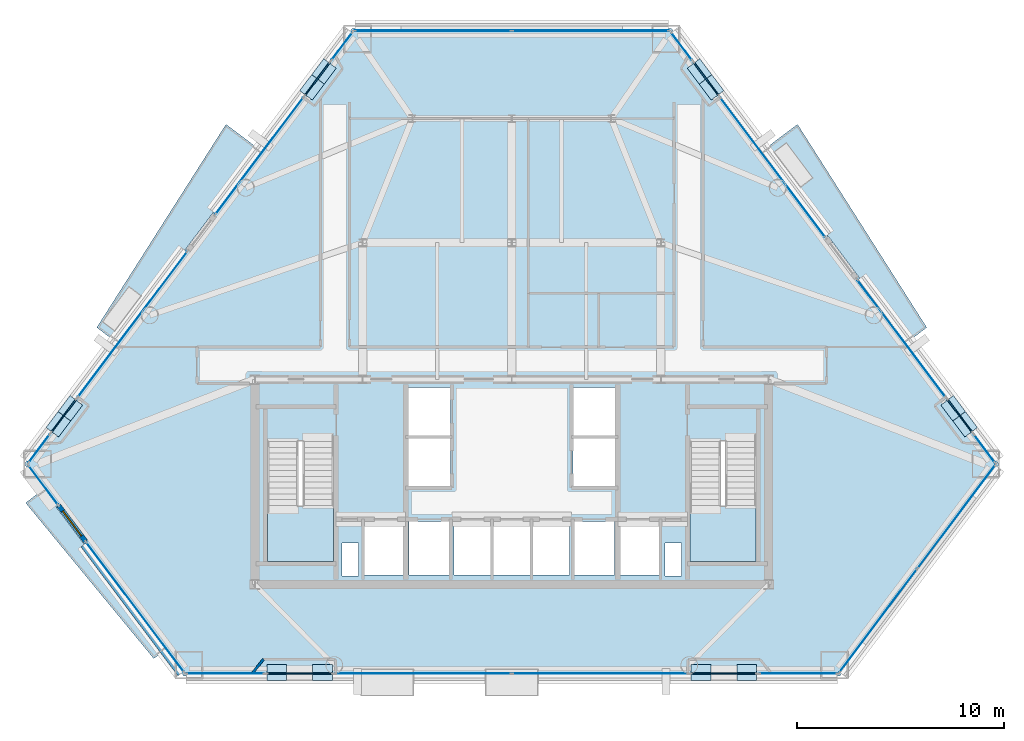
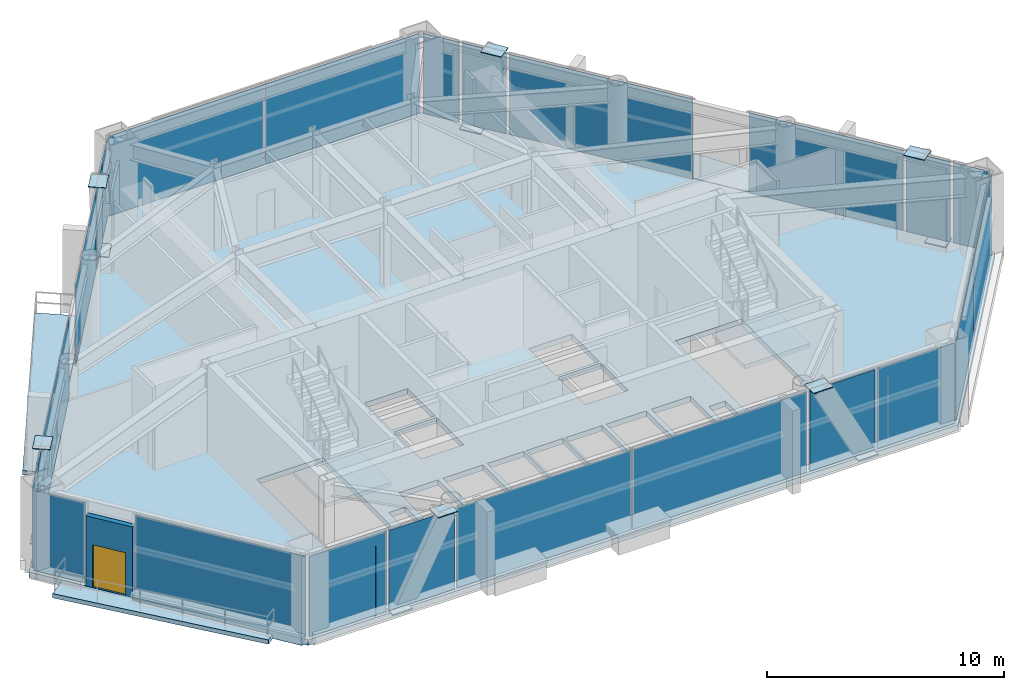
# One storey, part 5 of 10: 36 plates, 6 slabs, 3 walls, 1 door, 1 opening, 23 elements without a shape of their own.
"""IFC4 building model written with IfcOpenShell, lengths in metres."""

from ifc_helpers import new_model, si_unit, direction, frame, frame_2d, origin, origin_2d, place, context, subcontext, project, spatial, polyline, rectangle, outline, extrude, source, transform, mapped, material, layer, layer_set, type_object, type_shapes, element, fill, aggregate, save


model = new_model("IFC4")

# Units and contexts
model_context = context("Model", 3, precision=1e-05, world=origin(), true_north=direction((0.0, 1.0)))
body_context = subcontext(model_context, "Body", "Model", "MODEL_VIEW")
ifc_project = project(units=[si_unit("LENGTHUNIT", "METRE"), si_unit("AREAUNIT", "SQUARE_METRE"), si_unit("VOLUMEUNIT", "CUBIC_METRE"), si_unit("PLANEANGLEUNIT", "RADIAN"), si_unit("MASSUNIT", "GRAM", prefix="KILO")], contexts=[model_context])

# Site, building, storey
site_placement = place(None, origin())
site = spatial("IfcSite", under=ifc_project, at=site_placement, CompositionType="ELEMENT")
building_placement = place(site_placement, origin())
building = spatial("IfcBuilding", under=site, at=building_placement, Name="Talgorran Terracotta Tower", CompositionType="ELEMENT")
storey_placement = place(building_placement, frame((0.0, 0.0, 60.300048828125)))
storey = spatial("IfcBuildingStorey", under=building, at=storey_placement, Name="L15", CompositionType="ELEMENT", Elevation=60.300048828125)

# Plates
ifc_material_1 = material(Name="Steel Grade 350 (350L0)", Category="steel")
ifc_layer_1 = layer(ifc_material_1, 0.0400390625, Name="PL_CAP_MN05")
ifc_layer_set_1 = layer_set([ifc_layer_1], Name="Steel Grade 350 (350L0)")
plate_type_1 = type_object("IfcPlateType", Name="PL_CAP_MN05", PredefinedType="USERDEFINED", material=ifc_layer_set_1)
for number, where, z_axis, x_axis, name in (
    (1, (-11.3466796875, -18.35107421875, -0.010009765625), (0.0, 0.0, 1.0), (1.0, 0.0, 0.0), "L15 Diagonal Frame End Cap SWF Bot"),
    (2, (-9.140380859375, -18.35107421875, 4.219970703125), (0.0, 0.0, 1.0), (1.0, 0.0, 0.0), "L15 Diagonal Frame End Cap SWF Top"),
    (3, (11.3466796875, -18.35107421875, -0.010009765625), (0.0, 0.0, 1.0), (-1.0, 0.0, 0.0), "L15 Diagonal Frame End Cap SEF Bot"),
    (4, (9.140380859375, -18.35107421875, 4.219970703125), (0.0, 0.0, 1.0), (-1.0, 0.0, 0.0), "L15 Diagonal Frame End Cap SEF Top"),
    (5, (21.889892578125, -6.365478515625, -0.010009765625), (0.0, 0.0, 1.0), (-0.60153621011, 0.79884553446, 0.0), "L15 Diagonal Frame End Cap NEL Bot"),
    (6, (21.30810546875, -5.593017578125, 4.219970703125), (0.0, 0.0, 1.0), (-0.60153621011, 0.79884553446, 0.0), "L15 Diagonal Frame End Cap NEL Top"),
    (7, (9.0634765625, 10.67236328125, -0.010009765625), (0.0, 0.0, 1.0), (0.60153621011, -0.79884553446, 0.0), "L15 Diagonal Frame End Cap NEU Bot"),
    (8, (9.64501953125, 9.89990234375, 4.219970703125), (0.0, 0.0, 1.0), (0.60153621011, -0.79884553446, 0.0), "L15 Diagonal Frame End Cap NEU Top"),
    (9, (-9.0634765625, 10.67236328125, -0.010009765625), (0.0, 0.0, 1.0), (-0.60153621011, -0.79884553446, 0.0), "L15 Diagonal Frame End Cap NWU Bot"),
    (10, (-9.64501953125, 9.89990234375, 4.219970703125), (0.0, 0.0, 1.0), (-0.60153621011, -0.79884553446, 0.0), "L15 Diagonal Frame End Cap NWU Top"),
    (11, (-21.889892578125, -6.365478515625, -0.010009765625), (0.0, 0.0, 1.0), (0.60153621011, 0.79884553446, 0.0), "L15 Diagonal Frame End Cap NWL Bot"),
    (12, (-21.30810546875, -5.593017578125, 4.219970703125), (0.0, 0.0, 1.0), (0.60153621011, 0.79884553446, 0.0), "L15 Diagonal Frame End Cap NWL Top"),
):
    element("IfcPlate", number, at=place(storey_placement, frame(where, z_axis=z_axis, x_axis=x_axis)), inside=storey, type_object=plate_type_1, Name=name, ObjectType="CAP PLATE", PredefinedType="USERDEFINED", context=body_context, shape_type="SweptSolid", body=[
        extrude(rectangle(XDim=0.9599609375, YDim=0.760009765625, at=origin_2d()), origin(), (0.0, 0.0, 1.0), 0.0400390625),
    ])

# Slabs
ifc_material_2 = material(Name="Concrete C40/50", Category="concrete")
ifc_layer_2 = layer(ifc_material_2, 0.219970703125, Name="SL_BALCONY_220")
ifc_layer_set_2 = layer_set([ifc_layer_2], Name="Concrete C40/50")
slab_type_1 = type_object("IfcSlabType", Name="SL_BALCONY_220", PredefinedType="FLOOR", material=ifc_layer_set_2)
slab_1_placement = place(storey_placement, frame((0.0, 0.0, -0.219970703125)))
element("IfcSlab", 13, at=slab_1_placement, inside=storey, type_object=slab_type_1, Name="L15 Outdoor Wave Balcony BAL-NE", PredefinedType="FLOOR", context=body_context, shape_type="SweptSolid", body=[
    extrude(outline(polyline([(12.14404296875, 6.87109375), (19.11328125, -2.386474609375), (20.03369140625, -1.693359375), (13.7958984375, 8.11474609375), (12.14404296875, 6.87109375)])), origin(), (0.0, 0.0, 1.0), 0.219970703125),
])
slab_2_placement = place(storey_placement, frame((0.0, 0.0, -0.219970703125)))
element("IfcSlab", 14, at=slab_2_placement, inside=storey, type_object=slab_type_1, Name="L15 Outdoor Wave Balcony BAL-NW", PredefinedType="FLOOR", context=body_context, shape_type="SweptSolid", body=[
    extrude(outline(polyline([(-19.11328125, -2.386474609375), (-12.14404296875, 6.87109375), (-13.7958984375, 8.11474609375), (-20.03369140625, -1.693359375), (-19.11328125, -2.386474609375)])), origin(), (0.0, 0.0, 1.0), 0.219970703125),
])
slab_3_placement = place(storey_placement, frame((0.0, 0.0, -0.219970703125)))
element("IfcSlab", 15, at=slab_3_placement, inside=storey, type_object=slab_type_1, Name="L15 Outdoor Wave Balcony BAL-SW", PredefinedType="FLOOR", context=body_context, shape_type="SweptSolid", body=[
    extrude(outline(polyline([(-16.774658203125, -17.293212890625), (-22.62451171875, -9.522705078125), (-23.469970703125, -10.158935546875), (-17.282470703125, -17.67529296875), (-16.774658203125, -17.293212890625)])), origin(), (0.0, 0.0, 1.0), 0.219970703125),
])
ifc_layer_3 = layer(ifc_material_2, 0.280029296875, Name="SL_HALL_280")
ifc_layer_set_3 = layer_set([ifc_layer_3], Name="Concrete C40/50")
slab_type_2 = type_object("IfcSlabType", Name="SL_HALL_280", PredefinedType="FLOOR", material=ifc_layer_set_3)
slab_4_placement = place(storey_placement, frame((0.0, 0.0, -0.280029296875)))
element("IfcSlab", 16, at=slab_4_placement, inside=storey, type_object=slab_type_2, Name="Storey L15 Structural Floor Slab", PredefinedType="FLOOR", context=body_context, shape_type="SweptSolid", body=[
    extrude(outline(polyline([(-23.5361328125, -8.28662109375), (-15.839111328125, -18.510986328125), (15.839111328125, -18.510986328125), (23.5361328125, -8.28662109375), (7.697021484375, 12.75341796875), (-7.697021484375, 12.75341796875), (-23.5361328125, -8.28662109375)]), holes=[polyline([(-11.800048828125, -7.199951171875), (-11.800048828125, -13.0), (-8.60009765625, -13.0), (-8.60009765625, -7.199951171875), (-11.800048828125, -7.199951171875)]), polyline([(8.60009765625, -7.199951171875), (8.60009765625, -13.0), (11.800048828125, -13.0), (11.800048828125, -7.199951171875), (8.60009765625, -7.199951171875)]), polyline([(-7.10009765625, -13.64990234375), (-5.199951171875, -13.64990234375), (-5.199951171875, -11.050048828125), (-7.10009765625, -11.050048828125), (-7.10009765625, -13.64990234375)]), polyline([(5.199951171875, -13.64990234375), (7.10009765625, -13.64990234375), (7.10009765625, -11.050048828125), (5.199951171875, -11.050048828125), (5.199951171875, -13.64990234375)]), polyline([(3.0, -13.64990234375), (4.949951171875, -13.64990234375), (4.949951171875, -11.050048828125), (3.0, -11.050048828125), (3.0, -13.64990234375)]), polyline([(-4.949951171875, -13.64990234375), (-3.0, -13.64990234375), (-3.0, -11.050048828125), (-4.949951171875, -11.050048828125), (-4.949951171875, -13.64990234375)]), polyline([(-5.050048828125, -9.35009765625), (-2.949951171875, -9.35009765625), (-2.949951171875, -7.050048828125), (-5.050048828125, -7.050048828125), (-5.050048828125, -9.35009765625)]), polyline([(-5.050048828125, -6.89990234375), (-2.949951171875, -6.89990234375), (-2.949951171875, -4.60009765625), (-5.050048828125, -4.60009765625), (-5.050048828125, -6.89990234375)]), polyline([(2.949951171875, -9.35009765625), (5.050048828125, -9.35009765625), (5.050048828125, -7.050048828125), (2.949951171875, -7.050048828125), (2.949951171875, -9.35009765625)]), polyline([(2.949951171875, -6.89990234375), (5.050048828125, -6.89990234375), (5.050048828125, -4.60009765625), (2.949951171875, -4.60009765625), (2.949951171875, -6.89990234375)]), polyline([(-2.800048828125, -13.64990234375), (-1.0, -13.64990234375), (-1.0, -11.050048828125), (-2.800048828125, -11.050048828125), (-2.800048828125, -13.64990234375)]), polyline([(-0.89990234375, -13.64990234375), (0.89990234375, -13.64990234375), (0.89990234375, -11.050048828125), (-0.89990234375, -11.050048828125), (-0.89990234375, -13.64990234375)]), polyline([(1.0, -13.64990234375), (2.800048828125, -13.64990234375), (2.800048828125, -11.050048828125), (1.0, -11.050048828125), (1.0, -13.64990234375)]), polyline([(-8.199951171875, -13.699951171875), (-7.39990234375, -13.699951171875), (-7.39990234375, -12.10009765625), (-8.199951171875, -12.10009765625), (-8.199951171875, -13.699951171875)]), polyline([(7.39990234375, -13.699951171875), (8.199951171875, -13.699951171875), (8.199951171875, -12.10009765625), (7.39990234375, -12.10009765625), (7.39990234375, -13.699951171875)])]), origin(), (0.0, 0.0, 1.0), 0.280029296875),
])

# Stair, slab
stair_type = type_object("IfcStairType", Name="ST_FIRE_SCISSOR", PredefinedType="HALF_TURN_STAIR", material=ifc_material_2)
stair_1_placement = place(storey_placement, origin())
stair_1 = element("IfcStair", 17, at=stair_1_placement, inside=storey, type_object=stair_type, Name="L15 West Protected Fire Stair ST-01", PredefinedType="HALF_TURN_STAIR")
ifc_layer_4 = layer(ifc_material_2, 0.199951171875, Name="SL_LANDING_200")
ifc_layer_set_4 = layer_set([ifc_layer_4], Name="Concrete C40/50")
slab_type_3 = type_object("IfcSlabType", Name="SL_LANDING_200", PredefinedType="LANDING", material=ifc_layer_set_4)
slab_5_placement = place(storey_placement, frame((0.0, 0.0, 2.050048828125)))
slab_5 = element("IfcSlab", 18, at=slab_5_placement, type_object=slab_type_3, Name="ST-01 landing 1", PredefinedType="LANDING", context=body_context, shape_type="SweptSolid", body=[
    extrude(outline(polyline([(-11.800048828125, -10.280029296875), (-11.800048828125, -13.0), (-8.60009765625, -13.0), (-8.60009765625, -10.280029296875), (-11.800048828125, -10.280029296875)])), origin(), (0.0, 0.0, 1.0), 0.199951171875),
])
aggregate(stair_1, [slab_5])

stair_2_placement = place(storey_placement, origin())
stair_2 = element("IfcStair", 19, at=stair_2_placement, inside=storey, type_object=stair_type, Name="L15 East Protected Fire Stair ST-02", PredefinedType="HALF_TURN_STAIR")
slab_6_placement = place(storey_placement, frame((0.0, 0.0, 2.050048828125)))
slab_6 = element("IfcSlab", 20, at=slab_6_placement, type_object=slab_type_3, Name="ST-02 landing 1", PredefinedType="LANDING", context=body_context, shape_type="SweptSolid", body=[
    extrude(outline(polyline([(8.60009765625, -10.280029296875), (8.60009765625, -13.0), (11.800048828125, -13.0), (11.800048828125, -10.280029296875), (8.60009765625, -10.280029296875)])), origin(), (0.0, 0.0, 1.0), 0.199951171875),
])
aggregate(stair_2, [slab_6])

# Curtain wall, plate
ifc_material_3 = material(Name="Unitised Low-E Double Glazing", Category="glass")
ifc_layer_5 = layer(ifc_material_3, 0.199951171875, Name="CW_SYS2_RES_LOW")
ifc_layer_set_5 = layer_set([ifc_layer_5], Name="Unitised Low-E Double Glazing")
curtain_wall_type = type_object("IfcCurtainWallType", Name="CW_SYS2_RES_LOW", PredefinedType="NOTDEFINED", material=ifc_layer_set_5)
curtain_wall_1_placement = place(storey_placement, origin())
curtain_wall_1 = element("IfcCurtainWall", 21, at=curtain_wall_1_placement, inside=storey, type_object=curtain_wall_type, Name="CW-L15-F10", PredefinedType="NOTDEFINED")
ifc_material_4 = material(Name="Low-E Laminated Vision Glass", Category="glass")
ifc_layer_6 = layer(ifc_material_4, 0.028076171875, Name="PLT_VISION_28")
ifc_layer_set_6 = layer_set([ifc_layer_6], Name="Low-E Laminated Vision Glass")
plate_type_2 = type_object("IfcPlateType", Name="PLT_VISION_28", PredefinedType="CURTAIN_PANEL", material=ifc_layer_set_6)
shared_shape_1 = source(origin(), body_context, "Body", "SweptSolid", [
    extrude(rectangle(XDim=2.3408203125, YDim=0.028076171875, at=origin_2d()), origin(), (0.0, 0.0, 1.0), 4.1201171875),
])
plate_1_placement = place(storey_placement, frame((-22.618896484375, -9.3056640625, 0.06494140625), z_axis=(0.0, 0.0, 1.0), x_axis=(0.601443133541, -0.798915613263, 0.0)))
plate_1 = element("IfcPlate", 22, at=plate_1_placement, type_object=plate_type_2, Name="CW-L15-10 panel 1.1", PredefinedType="CURTAIN_PANEL", context=body_context, shape_type="MappedRepresentation", body=[
    mapped(shared_shape_1, transform((0.0, 0.0, 0.0), scale=1.0)),
])
aggregate(curtain_wall_1, [plate_1])

curtain_wall_2_placement = place(storey_placement, origin())
curtain_wall_2 = element("IfcCurtainWall", 23, at=curtain_wall_2_placement, inside=storey, type_object=curtain_wall_type, Name="CW-L15-F11", PredefinedType="NOTDEFINED")
shared_shape_2 = source(origin(), body_context, "Body", "SweptSolid", [
    extrude(rectangle(XDim=7.806884765625, YDim=0.028076171875, at=origin_2d()), origin(), (0.0, 0.0, 1.0), 4.1201171875),
])
plate_2_placement = place(storey_placement, frame((-18.18994140625, -15.188720703125, 0.06494140625), z_axis=(0.0, 0.0, 1.0), x_axis=(0.601444422567, -0.798914642852, 0.0)))
plate_2 = element("IfcPlate", 24, at=plate_2_placement, type_object=plate_type_2, Name="CW-L15-11 panel 1.1", PredefinedType="CURTAIN_PANEL", context=body_context, shape_type="MappedRepresentation", body=[
    mapped(shared_shape_2, transform((0.0, 0.0, 0.0), scale=1.0)),
])
aggregate(curtain_wall_2, [plate_2])

curtain_wall_3_placement = place(storey_placement, origin())
curtain_wall_3 = element("IfcCurtainWall", 25, at=curtain_wall_3_placement, inside=storey, type_object=curtain_wall_type, Name="CW-L15-F1", PredefinedType="NOTDEFINED")
shared_shape_3 = source(origin(), body_context, "Body", "SweptSolid", [
    extrude(rectangle(XDim=3.7470703125, YDim=0.028076171875, at=origin_2d()), origin(), (0.0, 0.0, 1.0), 4.1201171875),
])
plate_3_placement = place(storey_placement, frame((-13.840576171875, -18.39111328125, 0.06494140625), z_axis=(0.0, 0.0, 1.0), x_axis=(1.0, 0.0, 0.0)))
plate_3 = element("IfcPlate", 26, at=plate_3_placement, type_object=plate_type_2, Name="CW-L15-1 panel 1.1", PredefinedType="CURTAIN_PANEL", context=body_context, shape_type="MappedRepresentation", body=[
    mapped(shared_shape_3, transform((0.0, 0.0, 0.0), scale=1.0)),
])
aggregate(curtain_wall_3, [plate_3])

curtain_wall_4_placement = place(storey_placement, origin())
curtain_wall_4 = element("IfcCurtainWall", 27, at=curtain_wall_4_placement, inside=storey, type_object=curtain_wall_type, Name="CW-L15-F1E", PredefinedType="NOTDEFINED")
plate_4_placement = place(storey_placement, frame((13.840576171875, -18.39111328125, 0.06494140625), z_axis=(0.0, 0.0, 1.0), x_axis=(1.0, 0.0, 0.0)))
plate_4 = element("IfcPlate", 28, at=plate_4_placement, type_object=plate_type_2, Name="CW-L15-1E panel 1.1", PredefinedType="CURTAIN_PANEL", context=body_context, shape_type="MappedRepresentation", body=[
    mapped(shared_shape_3, transform((0.0, 0.0, 0.0), scale=1.0)),
])
aggregate(curtain_wall_4, [plate_4])

curtain_wall_5_placement = place(storey_placement, origin())
curtain_wall_5 = element("IfcCurtainWall", 29, at=curtain_wall_5_placement, inside=storey, type_object=curtain_wall_type, Name="CW-L15-F1B", PredefinedType="NOTDEFINED")
ifc_material_5 = material(Name="Terracotta Insulated Spandrel", Category="masonry")
ifc_layer_7 = layer(ifc_material_5, 0.06494140625, Name="PLT_SPANDREL_TERRA")
ifc_layer_set_7 = layer_set([ifc_layer_7], Name="Terracotta Insulated Spandrel")
plate_type_3 = type_object("IfcPlateType", Name="PLT_SPANDREL_TERRA", PredefinedType="SHEET", material=ifc_layer_set_7)
shared_shape_4 = source(origin(), body_context, "Body", "SweptSolid", [
    extrude(rectangle(XDim=3.1669921875, YDim=0.06494140625, at=origin_2d()), origin(), (0.0, 0.0, 1.0), 4.1201171875),
])
plate_5_placement = place(storey_placement, frame((-10.243408203125, -18.39111328125, 0.06494140625), z_axis=(0.0, 0.0, 1.0), x_axis=(1.0, 0.0, 0.0)))
plate_5 = element("IfcPlate", 30, at=plate_5_placement, type_object=plate_type_3, Name="CW-L15-1B panel 1.1", PredefinedType="CURTAIN_PANEL", context=body_context, shape_type="MappedRepresentation", body=[
    mapped(shared_shape_4, transform((0.0, 0.0, 0.0), scale=1.0)),
])
aggregate(curtain_wall_5, [plate_5])

curtain_wall_6_placement = place(storey_placement, origin())
curtain_wall_6 = element("IfcCurtainWall", 31, at=curtain_wall_6_placement, inside=storey, type_object=curtain_wall_type, Name="CW-L15-F1D", PredefinedType="NOTDEFINED")
plate_6_placement = place(storey_placement, frame((10.243408203125, -18.39111328125, 0.06494140625), z_axis=(0.0, 0.0, 1.0), x_axis=(1.0, 0.0, 0.0)))
plate_6 = element("IfcPlate", 32, at=plate_6_placement, type_object=plate_type_3, Name="CW-L15-1D panel 1.1", PredefinedType="CURTAIN_PANEL", context=body_context, shape_type="MappedRepresentation", body=[
    mapped(shared_shape_4, transform((0.0, 0.0, 0.0), scale=1.0)),
])
aggregate(curtain_wall_6, [plate_6])

# Curtain wall, plates
curtain_wall_7_placement = place(storey_placement, origin())
curtain_wall_7 = element("IfcCurtainWall", 33, at=curtain_wall_7_placement, inside=storey, type_object=curtain_wall_type, Name="CW-L15-F1C", PredefinedType="NOTDEFINED")
shared_shape_5 = source(origin(), body_context, "Body", "SweptSolid", [
    extrude(rectangle(XDim=8.4873046875, YDim=0.028076171875, at=origin_2d()), origin(), (0.0, 0.0, 1.0), 4.1201171875),
])
plate_7_placement = place(storey_placement, frame((-4.276123046875, -18.39111328125, 0.06494140625), z_axis=(0.0, 0.0, 1.0), x_axis=(1.0, 0.0, 0.0)))
plate_7 = element("IfcPlate", 34, at=plate_7_placement, type_object=plate_type_2, Name="CW-L15-1C panel 1.1", PredefinedType="CURTAIN_PANEL", context=body_context, shape_type="MappedRepresentation", body=[
    mapped(shared_shape_5, transform((0.0, 0.0, 0.0), scale=1.0)),
])
plate_8_placement = place(storey_placement, frame((4.276123046875, -18.39111328125, 0.06494140625), z_axis=(0.0, 0.0, 1.0), x_axis=(1.0, 0.0, 0.0)))
plate_8 = element("IfcPlate", 35, at=plate_8_placement, type_object=plate_type_2, Name="CW-L15-1C panel 2.1", PredefinedType="CURTAIN_PANEL", context=body_context, shape_type="MappedRepresentation", body=[
    mapped(shared_shape_5, transform((0.0, 0.0, 0.0), scale=1.0)),
])
aggregate(curtain_wall_7, [plate_7, plate_8])

curtain_wall_8_placement = place(storey_placement, origin())
curtain_wall_8 = element("IfcCurtainWall", 36, at=curtain_wall_8_placement, inside=storey, type_object=curtain_wall_type, Name="CW-L15-F2", PredefinedType="NOTDEFINED")
shared_shape_6 = source(origin(), body_context, "Body", "SweptSolid", [
    extrude(rectangle(XDim=6.226318359375, YDim=0.028076171875, at=origin_2d()), origin(), (0.0, 0.0, 1.0), 4.1201171875),
])
plate_9_placement = place(storey_placement, frame((17.690673828125, -15.85205078125, 0.06494140625), z_axis=(0.0, 0.0, 1.0), x_axis=(0.601442440957, 0.798916134657, 0.0)))
plate_9 = element("IfcPlate", 37, at=plate_9_placement, type_object=plate_type_2, Name="CW-L15-2 panel 1.1", PredefinedType="CURTAIN_PANEL", context=body_context, shape_type="MappedRepresentation", body=[
    mapped(shared_shape_6, transform((0.0, 0.0, 0.0), scale=1.0)),
])
plate_10_placement = place(storey_placement, frame((21.474609375, -10.82568359375, 0.06494140625), z_axis=(0.0, 0.0, 1.0), x_axis=(0.601442440957, 0.798916134657, 0.0)))
plate_10 = element("IfcPlate", 38, at=plate_10_placement, type_object=plate_type_2, Name="CW-L15-2 panel 2.1", PredefinedType="CURTAIN_PANEL", context=body_context, shape_type="MappedRepresentation", body=[
    mapped(shared_shape_6, transform((0.0, 0.0, 0.0), scale=1.0)),
])
aggregate(curtain_wall_8, [plate_9, plate_10])

# Curtain wall, plate
curtain_wall_9_placement = place(storey_placement, origin())
curtain_wall_9 = element("IfcCurtainWall", 39, at=curtain_wall_9_placement, inside=storey, type_object=curtain_wall_type, Name="CW-L15-F40", PredefinedType="NOTDEFINED")
shared_shape_7 = source(origin(), body_context, "Body", "SweptSolid", [
    extrude(rectangle(XDim=1.67041015625, YDim=0.028076171875, at=origin_2d()), origin(), (0.0, 0.0, 1.0), 4.1201171875),
])
plate_11_placement = place(storey_placement, frame((22.820556640625, -7.535400390625, 0.06494140625), z_axis=(0.0, 0.0, 1.0), x_axis=(-0.601456407269, 0.798905620305, 0.0)))
plate_11 = element("IfcPlate", 40, at=plate_11_placement, type_object=plate_type_2, Name="CW-L15-40 panel 1.1", PredefinedType="CURTAIN_PANEL", context=body_context, shape_type="MappedRepresentation", body=[
    mapped(shared_shape_7, transform((0.0, 0.0, 0.0), scale=1.0)),
])
aggregate(curtain_wall_9, [plate_11])

curtain_wall_10_placement = place(storey_placement, origin())
curtain_wall_10 = element("IfcCurtainWall", 41, at=curtain_wall_10_placement, inside=storey, type_object=curtain_wall_type, Name="CW-L15-F61C", PredefinedType="NOTDEFINED")
plate_12_placement = place(storey_placement, frame((-22.820556640625, -7.535400390625, 0.06494140625), z_axis=(0.0, 0.0, 1.0), x_axis=(-0.601456407269, -0.798905620305, 0.0)))
plate_12 = element("IfcPlate", 42, at=plate_12_placement, type_object=plate_type_2, Name="CW-L15-61C panel 1.1", PredefinedType="CURTAIN_PANEL", context=body_context, shape_type="MappedRepresentation", body=[
    mapped(shared_shape_7, transform((0.0, 0.0, 0.0), scale=1.0)),
])
aggregate(curtain_wall_10, [plate_12])

curtain_wall_11_placement = place(storey_placement, origin())
curtain_wall_11 = element("IfcCurtainWall", 43, at=curtain_wall_11_placement, inside=storey, type_object=curtain_wall_type, Name="CW-L15-F40B", PredefinedType="NOTDEFINED")
shared_shape_8 = source(origin(), body_context, "Body", "SweptSolid", [
    extrude(rectangle(XDim=2.005126953125, YDim=0.06494140625, at=origin_2d()), origin(), (0.0, 0.0, 1.0), 4.1201171875),
])
type_shapes(plate_type_3, [shared_shape_4, shared_shape_8])
plate_13_placement = place(storey_placement, frame((21.630859375, -5.955322265625, 0.06494140625), z_axis=(0.0, 0.0, 1.0), x_axis=(-0.601422868358, 0.798930868985, 0.0)))
plate_13 = element("IfcPlate", 44, at=plate_13_placement, type_object=plate_type_3, Name="CW-L15-40B panel 1.1", PredefinedType="CURTAIN_PANEL", context=body_context, shape_type="MappedRepresentation", body=[
    mapped(shared_shape_8, transform((0.0, 0.0, 0.0), scale=1.0)),
])
aggregate(curtain_wall_11, [plate_13])

curtain_wall_12_placement = place(storey_placement, origin())
curtain_wall_12 = element("IfcCurtainWall", 45, at=curtain_wall_12_placement, inside=storey, type_object=curtain_wall_type, Name="CW-L15-F41B", PredefinedType="NOTDEFINED")
plate_14_placement = place(storey_placement, frame((9.38623046875, 10.31005859375, 0.06494140625), z_axis=(0.0, 0.0, 1.0), x_axis=(-0.601422868358, 0.798930868985, 0.0)))
plate_14 = element("IfcPlate", 46, at=plate_14_placement, type_object=plate_type_3, Name="CW-L15-41B panel 1.1", PredefinedType="CURTAIN_PANEL", context=body_context, shape_type="MappedRepresentation", body=[
    mapped(shared_shape_8, transform((0.0, 0.0, 0.0), scale=1.0)),
])
aggregate(curtain_wall_12, [plate_14])

curtain_wall_13_placement = place(storey_placement, origin())
curtain_wall_13 = element("IfcCurtainWall", 47, at=curtain_wall_13_placement, inside=storey, type_object=curtain_wall_type, Name="CW-L15-F60B", PredefinedType="NOTDEFINED")
plate_15_placement = place(storey_placement, frame((-9.38623046875, 10.31005859375, 0.06494140625), z_axis=(0.0, 0.0, 1.0), x_axis=(-0.601422868358, -0.798930868985, 0.0)))
plate_15 = element("IfcPlate", 48, at=plate_15_placement, type_object=plate_type_3, Name="CW-L15-60B panel 1.1", PredefinedType="CURTAIN_PANEL", context=body_context, shape_type="MappedRepresentation", body=[
    mapped(shared_shape_8, transform((0.0, 0.0, 0.0), scale=1.0)),
])
aggregate(curtain_wall_13, [plate_15])

curtain_wall_14_placement = place(storey_placement, origin())
curtain_wall_14 = element("IfcCurtainWall", 49, at=curtain_wall_14_placement, inside=storey, type_object=curtain_wall_type, Name="CW-L15-F61B", PredefinedType="NOTDEFINED")
plate_16_placement = place(storey_placement, frame((-21.630859375, -5.955322265625, 0.06494140625), z_axis=(0.0, 0.0, 1.0), x_axis=(-0.601422868358, -0.798930868985, 0.0)))
plate_16 = element("IfcPlate", 50, at=plate_16_placement, type_object=plate_type_3, Name="CW-L15-61B panel 1.1", PredefinedType="CURTAIN_PANEL", context=body_context, shape_type="MappedRepresentation", body=[
    mapped(shared_shape_8, transform((0.0, 0.0, 0.0), scale=1.0)),
])
aggregate(curtain_wall_14, [plate_16])

curtain_wall_15_placement = place(storey_placement, origin())
curtain_wall_15 = element("IfcCurtainWall", 51, at=curtain_wall_15_placement, inside=storey, type_object=curtain_wall_type, Name="CW-L15-F40C", PredefinedType="NOTDEFINED")
shared_shape_9 = source(origin(), body_context, "Body", "SweptSolid", [
    extrude(rectangle(XDim=7.070068359375, YDim=0.028076171875, at=origin_2d()), origin(), (0.0, 0.0, 1.0), 4.1201171875),
])
plate_17_placement = place(storey_placement, frame((18.817626953125, -2.21826171875, 0.06494140625), z_axis=(0.0, 0.0, 1.0), x_axis=(-0.601443464077, 0.798915364428, 0.0)))
plate_17 = element("IfcPlate", 52, at=plate_17_placement, type_object=plate_type_2, Name="CW-L15-40C panel 1.1", PredefinedType="CURTAIN_PANEL", context=body_context, shape_type="MappedRepresentation", body=[
    mapped(shared_shape_9, transform((0.0, 0.0, 0.0), scale=1.0)),
])
aggregate(curtain_wall_15, [plate_17])

curtain_wall_16_placement = place(storey_placement, origin())
curtain_wall_16 = element("IfcCurtainWall", 53, at=curtain_wall_16_placement, inside=storey, type_object=curtain_wall_type, Name="CW-L15-F41", PredefinedType="NOTDEFINED")
shared_shape_10 = source(origin(), body_context, "Body", "SweptSolid", [
    extrude(rectangle(XDim=8.4140625, YDim=0.028076171875, at=origin_2d()), origin(), (0.0, 0.0, 1.0), 4.1201171875),
])
plate_18_placement = place(storey_placement, frame((12.603515625, 6.0361328125, 0.06494140625), z_axis=(0.0, 0.0, 1.0), x_axis=(-0.601439073544, 0.798918669712, 0.0)))
plate_18 = element("IfcPlate", 54, at=plate_18_placement, type_object=plate_type_2, Name="CW-L15-41 panel 1.1", PredefinedType="CURTAIN_PANEL", context=body_context, shape_type="MappedRepresentation", body=[
    mapped(shared_shape_10, transform((0.0, 0.0, 0.0), scale=1.0)),
])
aggregate(curtain_wall_16, [plate_18])

curtain_wall_17_placement = place(storey_placement, origin())
curtain_wall_17 = element("IfcCurtainWall", 55, at=curtain_wall_17_placement, inside=storey, type_object=curtain_wall_type, Name="CW-L15-F41C", PredefinedType="NOTDEFINED")
shared_shape_11 = source(origin(), body_context, "Body", "SweptSolid", [
    extrude(rectangle(XDim=1.660400390625, YDim=0.028076171875, at=origin_2d()), origin(), (0.0, 0.0, 1.0), 4.1201171875),
])
plate_19_placement = place(storey_placement, frame((8.19970703125, 11.88623046875, 0.06494140625), z_axis=(0.0, 0.0, 1.0), x_axis=(-0.601455725695, 0.798906133428, 0.0)))
plate_19 = element("IfcPlate", 56, at=plate_19_placement, type_object=plate_type_2, Name="CW-L15-41C panel 1.1", PredefinedType="CURTAIN_PANEL", context=body_context, shape_type="MappedRepresentation", body=[
    mapped(shared_shape_11, transform((0.0, 0.0, 0.0), scale=1.0)),
])
aggregate(curtain_wall_17, [plate_19])

curtain_wall_18_placement = place(storey_placement, origin())
curtain_wall_18 = element("IfcCurtainWall", 57, at=curtain_wall_18_placement, inside=storey, type_object=curtain_wall_type, Name="CW-L15-F60", PredefinedType="NOTDEFINED")
plate_20_placement = place(storey_placement, frame((-8.19970703125, 11.88623046875, 0.06494140625), z_axis=(0.0, 0.0, 1.0), x_axis=(-0.601455725695, -0.798906133428, 0.0)))
plate_20 = element("IfcPlate", 58, at=plate_20_placement, type_object=plate_type_2, Name="CW-L15-60 panel 1.1", PredefinedType="CURTAIN_PANEL", context=body_context, shape_type="MappedRepresentation", body=[
    mapped(shared_shape_11, transform((0.0, 0.0, 0.0), scale=1.0)),
])
aggregate(curtain_wall_18, [plate_20])

# Curtain wall, plates
curtain_wall_19_placement = place(storey_placement, origin())
curtain_wall_19 = element("IfcCurtainWall", 59, at=curtain_wall_19_placement, inside=storey, type_object=curtain_wall_type, Name="CW-L15-F4", PredefinedType="NOTDEFINED")
shared_shape_12 = source(origin(), body_context, "Body", "SweptSolid", [
    extrude(rectangle(XDim=7.539794921875, YDim=0.028076171875, at=origin_2d()), origin(), (0.0, 0.0, 1.0), 4.1201171875),
])
plate_21_placement = place(storey_placement, frame((3.80224609375, 12.63330078125, 0.06494140625), z_axis=(0.0, 0.0, 1.0), x_axis=(-1.0, 0.0, 0.0)))
plate_21 = element("IfcPlate", 60, at=plate_21_placement, type_object=plate_type_2, Name="CW-L15-4 panel 1.1", PredefinedType="CURTAIN_PANEL", context=body_context, shape_type="MappedRepresentation", body=[
    mapped(shared_shape_12, transform((0.0, 0.0, 0.0), scale=1.0)),
])
plate_22_placement = place(storey_placement, frame((-3.80224609375, 12.63330078125, 0.06494140625), z_axis=(0.0, 0.0, 1.0), x_axis=(-1.0, 0.0, 0.0)))
plate_22 = element("IfcPlate", 61, at=plate_22_placement, type_object=plate_type_2, Name="CW-L15-4 panel 2.1", PredefinedType="CURTAIN_PANEL", context=body_context, shape_type="MappedRepresentation", body=[
    mapped(shared_shape_12, transform((0.0, 0.0, 0.0), scale=1.0)),
])
aggregate(curtain_wall_19, [plate_21, plate_22])

# Curtain wall, plate
curtain_wall_20_placement = place(storey_placement, origin())
curtain_wall_20 = element("IfcCurtainWall", 62, at=curtain_wall_20_placement, inside=storey, type_object=curtain_wall_type, Name="CW-L15-F60C", PredefinedType="NOTDEFINED")
shared_shape_13 = source(origin(), body_context, "Body", "SweptSolid", [
    extrude(rectangle(XDim=7.017578125, YDim=0.028076171875, at=origin_2d()), origin(), (0.0, 0.0, 1.0), 4.1201171875),
])
plate_23_placement = place(storey_placement, frame((-12.18359375, 6.593994140625, 0.06494140625), z_axis=(0.0, 0.0, 1.0), x_axis=(-0.601438406879, -0.798919171588, 0.0)))
plate_23 = element("IfcPlate", 63, at=plate_23_placement, type_object=plate_type_2, Name="CW-L15-60C panel 1.1", PredefinedType="CURTAIN_PANEL", context=body_context, shape_type="MappedRepresentation", body=[
    mapped(shared_shape_13, transform((0.0, 0.0, 0.0), scale=1.0)),
])
aggregate(curtain_wall_20, [plate_23])

curtain_wall_21_placement = place(storey_placement, origin())
curtain_wall_21 = element("IfcCurtainWall", 64, at=curtain_wall_21_placement, inside=storey, type_object=curtain_wall_type, Name="CW-L15-F61", PredefinedType="NOTDEFINED")
shared_shape_14 = source(origin(), body_context, "Body", "SweptSolid", [
    extrude(rectangle(XDim=8.7666015625, YDim=0.028076171875, at=origin_2d()), origin(), (0.0, 0.0, 1.0), 4.1201171875),
])
type_shapes(plate_type_2, [shared_shape_1, shared_shape_2, shared_shape_3, shared_shape_5, shared_shape_6, shared_shape_7, shared_shape_9, shared_shape_10, shared_shape_11, shared_shape_12, shared_shape_13, shared_shape_14])
plate_24_placement = place(storey_placement, frame((-18.3076171875, -1.54052734375, 0.06494140625), z_axis=(0.0, 0.0, 1.0), x_axis=(-0.601439568785, -0.798918296886, 0.0)))
plate_24 = element("IfcPlate", 65, at=plate_24_placement, type_object=plate_type_2, Name="CW-L15-61 panel 1.1", PredefinedType="CURTAIN_PANEL", context=body_context, shape_type="MappedRepresentation", body=[
    mapped(shared_shape_14, transform((0.0, 0.0, 0.0), scale=1.0)),
])
aggregate(curtain_wall_21, [plate_24])

# Wall, opening, door
ifc_layer_8 = layer(ifc_material_2, 0.239990234375, Name="WT_BALCONY_SPAND")
ifc_layer_set_8 = layer_set([ifc_layer_8], Name="Concrete C40/50")
wall_type_1 = type_object("IfcWallType", Name="WT_BALCONY_SPAND", PredefinedType="STANDARD", material=ifc_layer_set_8)
wall_1_placement = place(storey_placement, frame((-21.869873046875, -10.300537109375, -0.01513671875), z_axis=(0.0, 0.0, 1.0), x_axis=(0.601441023505, -0.798917201746, 0.0)))
wall_1 = element("IfcWall", 66, at=wall_1_placement, inside=storey, type_object=wall_type_1, Name="WL-L15-BALP-BAL-SW", PredefinedType="STANDARD", context=body_context, shape_type="SweptSolid", body=[
    extrude(rectangle(XDim=2.14013671875, YDim=0.239990234375, at=frame_2d((1.070068359375, 0.0))), origin(), (0.0, 0.0, 1.0), 3.62841796875),
])
opening_placement = place(wall_1_placement, frame((0.320068359375, 0.0, 0.014892578125)))
opening = element("IfcOpeningElement", 67, at=opening_placement, cuts=wall_1, Name="Opening D-BAL-L15-3", PredefinedType="OPENING", context=body_context, shape_type="SweptSolid", body=[
    extrude(rectangle(XDim=1.506, YDim=2.203951171875, at=frame_2d((0.75, 1.10205078125))), frame((0.0, 0.1298828125, 0.0), z_axis=(0.0, -1.0, 0.0), x_axis=(1.0, 0.0, 0.0)), (0.0, 0.0, 1.0), 0.260009765625),
])
ifc_material_6 = material(Name="Thermally Broken Aluminium", Category="aluminium")
door_type = type_object("IfcDoorType", Name="DT_BALC_1500", OperationType="SLIDING_TO_RIGHT", PredefinedType="DOOR", material=ifc_material_6)
door_placement = place(opening_placement, origin())
door = element("IfcDoor", 68, at=door_placement, inside=storey, type_object=door_type, Name="DR-L15-BAL-BAL-SW", OperationType="SLIDING_TO_RIGHT", OverallHeight=2.199951171875, OverallWidth=1.5, PredefinedType="DOOR", context=body_context, shape_type="SweptSolid", body=[
    extrude(rectangle(XDim=1.5, YDim=2.199951171875, at=frame_2d((0.75, 1.10009765625))), frame((0.0, 0.02490234375, 0.0), z_axis=(0.0, -1.0, 0.0), x_axis=(1.0, 0.0, 0.0)), (0.0, 0.0, 1.0), 0.050048828125),
])
fill(opening, door)

# Walls
ifc_layer_9 = layer(ifc_material_2, 0.219970703125, Name="WT_PARAPET_RC")
ifc_layer_set_9 = layer_set([ifc_layer_9], Name="Concrete C40/50")
wall_type_2 = type_object("IfcWallType", Name="WT_PARAPET_RC", PredefinedType="PARAPET", material=ifc_layer_set_9)
wall_2_placement = place(storey_placement, frame((-20.656494140625, -12.17822265625, -0.199951171875), z_axis=(0.0, 0.0, 1.0), x_axis=(0.601450605584, -0.798909988073, 0.0)))
element("IfcWall", 69, at=wall_2_placement, inside=storey, type_object=wall_type_2, Name="L15 Striped Portal Precast Cornice F11", PredefinedType="PARAPET", context=body_context, shape_type="SweptSolid", body=[
    extrude(rectangle(XDim=7.777099609375, YDim=0.360107421875, at=frame_2d((3.888671875, 0.0))), origin(), (0.0, 0.0, 1.0), 0.3798828125),
])
ifc_material_7 = material(Name="Insulated Steel Stud Plasterboard", Category="steel")
ifc_layer_10 = layer(ifc_material_7, 0.1201171875, Name="WT_PART_120")
ifc_layer_set_10 = layer_set([ifc_layer_10], Name="Insulated Steel Stud Plasterboard")
wall_type_3 = type_object("IfcWallType", Name="WT_PART_120", PredefinedType="PARTITIONING", material=ifc_layer_set_10)
wall_3_placement = place(storey_placement, frame((-12.52392578125, -18.381103515625, 0.0), z_axis=(0.0, 0.0, 1.0), x_axis=(0.625699909671, 0.780063858308, 0.0)))
element("IfcWall", 70, at=wall_3_placement, inside=storey, type_object=wall_type_3, Name="WL-L15-BW-L15-03", PredefinedType="PARTITIONING", context=body_context, shape_type="SweptSolid", body=[
    extrude(rectangle(XDim=0.85888671875, YDim=0.1201171875, at=frame_2d((0.429443359375, 0.0))), origin(), (0.0, 0.0, 1.0), 3.61328125),
])

save(model, "model.ifc")
